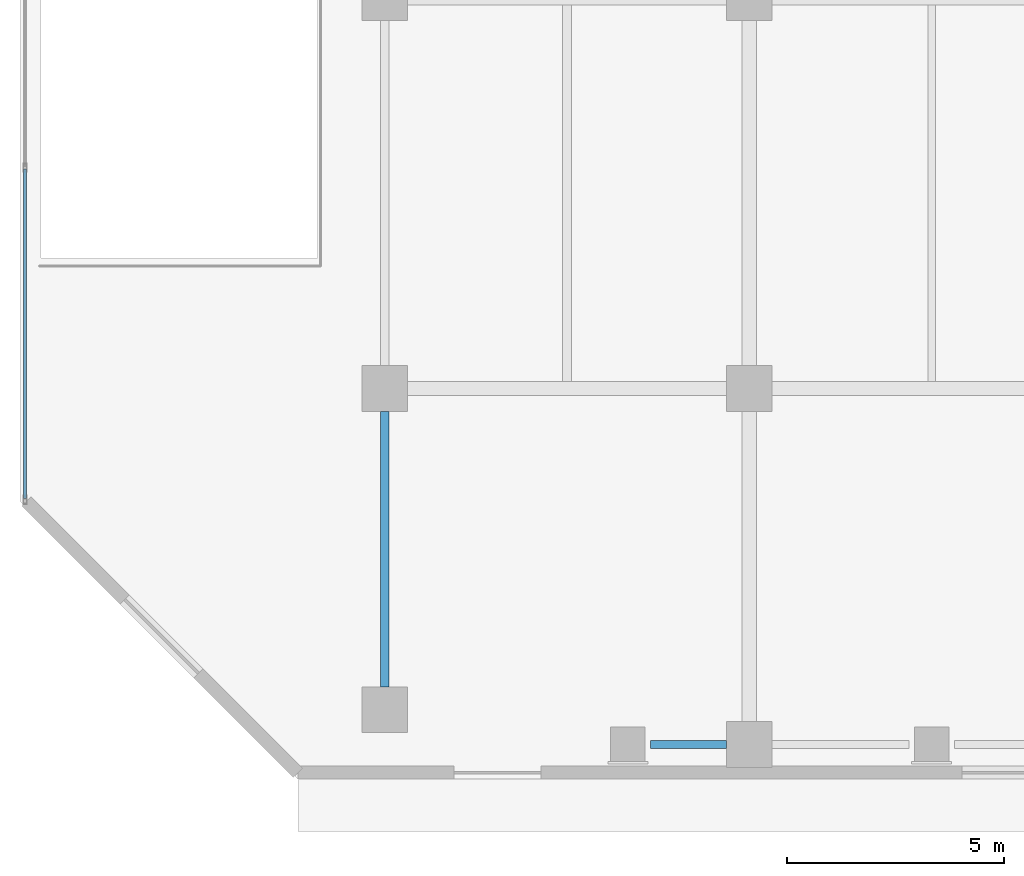
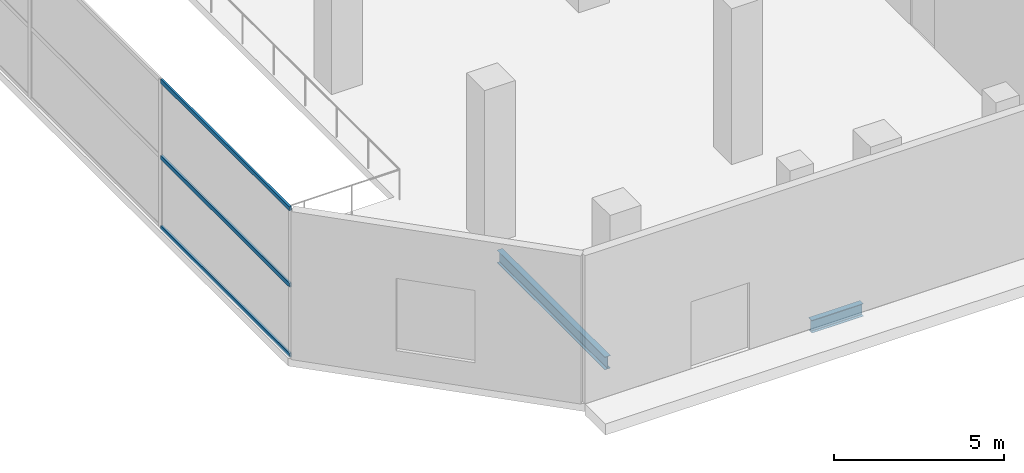
# One storey, part 5 of 35: 3 members, 2 beams, 1 element without a shape of its own.
"""IFC4 building model written with IfcOpenShell, lengths in metres."""

from ifc_helpers import new_model, si_unit, direction, frame, origin, origin_2d, place, context, subcontext, project, spatial, hollow_rectangle, i_section, extrude, material, layer, layer_set, material_profile, profile_set, type_object, element, aggregate, save


model = new_model("IFC4")

# Units and contexts
model_context = context("Model", 3, precision=1e-05, world=origin(), true_north=direction((0.0, 1.0)))
body_context = subcontext(model_context, "Body", "Model", "MODEL_VIEW")
ifc_project = project(units=[si_unit("LENGTHUNIT", "METRE"), si_unit("AREAUNIT", "SQUARE_METRE"), si_unit("VOLUMEUNIT", "CUBIC_METRE"), si_unit("PLANEANGLEUNIT", "RADIAN"), si_unit("MASSUNIT", "GRAM", prefix="KILO")], contexts=[model_context])

# Site, building, storey
site_placement = place(None, origin())
site = spatial("IfcSite", under=ifc_project, at=site_placement, CompositionType="ELEMENT")
building_placement = place(site_placement, origin())
building = spatial("IfcBuilding", under=site, at=building_placement, Name="Maruvema Waterfront Hotel and Observation Tower", CompositionType="ELEMENT")
storey_placement = place(building_placement, origin())
storey = spatial("IfcBuildingStorey", under=building, at=storey_placement, Name="L00", CompositionType="ELEMENT", Elevation=0.0)

# Curtain wall, members
ifc_material_1 = material(Name="Anodised bronze aluminium and solar-control low-E IGU", Category="aluminium")
ifc_layer = layer(ifc_material_1, 0.159912109375, Name="Podium Waterfront Storefront Curtain Wall System CW-01")
ifc_layer_set = layer_set([ifc_layer], Name="Anodised bronze aluminium and solar-control low-E IGU")
curtain_wall_type = type_object("IfcCurtainWallType", Name="Podium Waterfront Storefront Curtain Wall System CW-01", PredefinedType="USERDEFINED", material=ifc_layer_set)
curtain_wall_placement = place(storey_placement, origin())
curtain_wall = element("IfcCurtainWall", 1, at=curtain_wall_placement, inside=storey, type_object=curtain_wall_type, Name="L00 Curtain Wall CW-L00-W", ObjectType="UNITISED CURTAIN WALL", PredefinedType="USERDEFINED")
ifc_material_2 = material(Name="Anodised architectural bronze aluminium", Category="aluminium")
ifc_material_profile_1 = material_profile(ifc_material_2, hollow_rectangle(XDim=0.070068359375, YDim=0.14990234375, WallThickness=0.00390625, at=origin_2d()), Name="ALU-T70x150")
ifc_profile_set_1 = profile_set([ifc_material_profile_1], Name="Anodised architectural bronze aluminium")
member_type = type_object("IfcMemberType", Name="Curtain Wall Horizontal Transom ALU-T70x150", PredefinedType="USERDEFINED", material=ifc_profile_set_1)
member_1_placement = place(storey_placement, frame((0.1201171875, 14.05322265625, 0.030029296875), z_axis=(0.0, -1.0, 0.0), x_axis=(1.0, 0.0, 0.0)))
member_1 = element("IfcMember", 2, at=member_1_placement, type_object=member_type, Name="CW-01 transom 6.1", ObjectType="TRANSOM", PredefinedType="USERDEFINED", context=body_context, shape_type="SweptSolid", body=[
    extrude(hollow_rectangle(XDim=0.070068359375, YDim=0.14990234375, WallThickness=0.00390625, at=origin_2d()), origin(), (0.0, 0.0, 1.0), 7.59326171875),
])
member_2_placement = place(storey_placement, frame((0.1201171875, 14.05322265625, 2.550048828125), z_axis=(0.0, -1.0, 0.0), x_axis=(1.0, 0.0, 0.0)))
member_2 = element("IfcMember", 3, at=member_2_placement, type_object=member_type, Name="CW-01 transom 6.2", ObjectType="TRANSOM", PredefinedType="USERDEFINED", context=body_context, shape_type="SweptSolid", body=[
    extrude(hollow_rectangle(XDim=0.070068359375, YDim=0.14990234375, WallThickness=0.00390625, at=origin_2d()), origin(), (0.0, 0.0, 1.0), 7.59326171875),
])
member_3_placement = place(storey_placement, frame((0.1201171875, 14.05322265625, 5.2900390625), z_axis=(0.0, -1.0, 0.0), x_axis=(1.0, 0.0, 0.0)))
member_3 = element("IfcMember", 4, at=member_3_placement, type_object=member_type, Name="CW-01 transom 6.3", ObjectType="TRANSOM", PredefinedType="USERDEFINED", context=body_context, shape_type="SweptSolid", body=[
    extrude(hollow_rectangle(XDim=0.070068359375, YDim=0.14990234375, WallThickness=0.00390625, at=origin_2d()), origin(), (0.0, 0.0, 1.0), 7.59326171875),
])
aggregate(curtain_wall, [member_1, member_2, member_3])

# Beams
ifc_material_3 = material(Name="Steel ASTM A572 Grade 50", Category="steel")
ifc_material_profile_2 = material_profile(ifc_material_3, i_section(OverallWidth=0.18994140625, OverallDepth=0.45703125, WebThickness=0.009033203125, FlangeThickness=0.014404296875, FilletRadius=0.014892578125, at=origin_2d()), Name="W460x74.0")
ifc_profile_set_2 = profile_set([ifc_material_profile_2], Name="Steel ASTM A572 Grade 50")
beam_type = type_object("IfcBeamType", Name="Perimeter Spandrel Beam W460x74.0", PredefinedType="SPANDREL", material=ifc_profile_set_2)
beam_1_placement = place(storey_placement, frame((14.52490234375, 0.800048828125, -0.508544921875), z_axis=(1.0, 0.0, 0.0), x_axis=(0.0, 1.0, 0.0)))
element("IfcBeam", 5, at=beam_1_placement, inside=storey, type_object=beam_type, Name="L00 Floor Girder EW-01", PredefinedType="SPANDREL", context=body_context, shape_type="SweptSolid", body=[
    extrude(i_section(OverallWidth=0.18994140625, OverallDepth=0.45703125, WebThickness=0.009033203125, FlangeThickness=0.014404296875, FilletRadius=0.014892578125, at=origin_2d()), origin(), (0.0, 0.0, 1.0), 1.75),
])
beam_2_placement = place(storey_placement, frame((8.39990234375, 2.125, -0.508544921875), z_axis=(0.0, 1.0, 0.0), x_axis=(-1.0, 0.0, 0.0)))
element("IfcBeam", 6, at=beam_2_placement, inside=storey, type_object=beam_type, Name="L00 Floor Girder NS-01", PredefinedType="SPANDREL", context=body_context, shape_type="SweptSolid", body=[
    extrude(i_section(OverallWidth=0.18994140625, OverallDepth=0.45703125, WebThickness=0.009033203125, FlangeThickness=0.014404296875, FilletRadius=0.014892578125, at=origin_2d()), origin(), (0.0, 0.0, 1.0), 6.35009765625),
])

save(model, "model.ifc")
